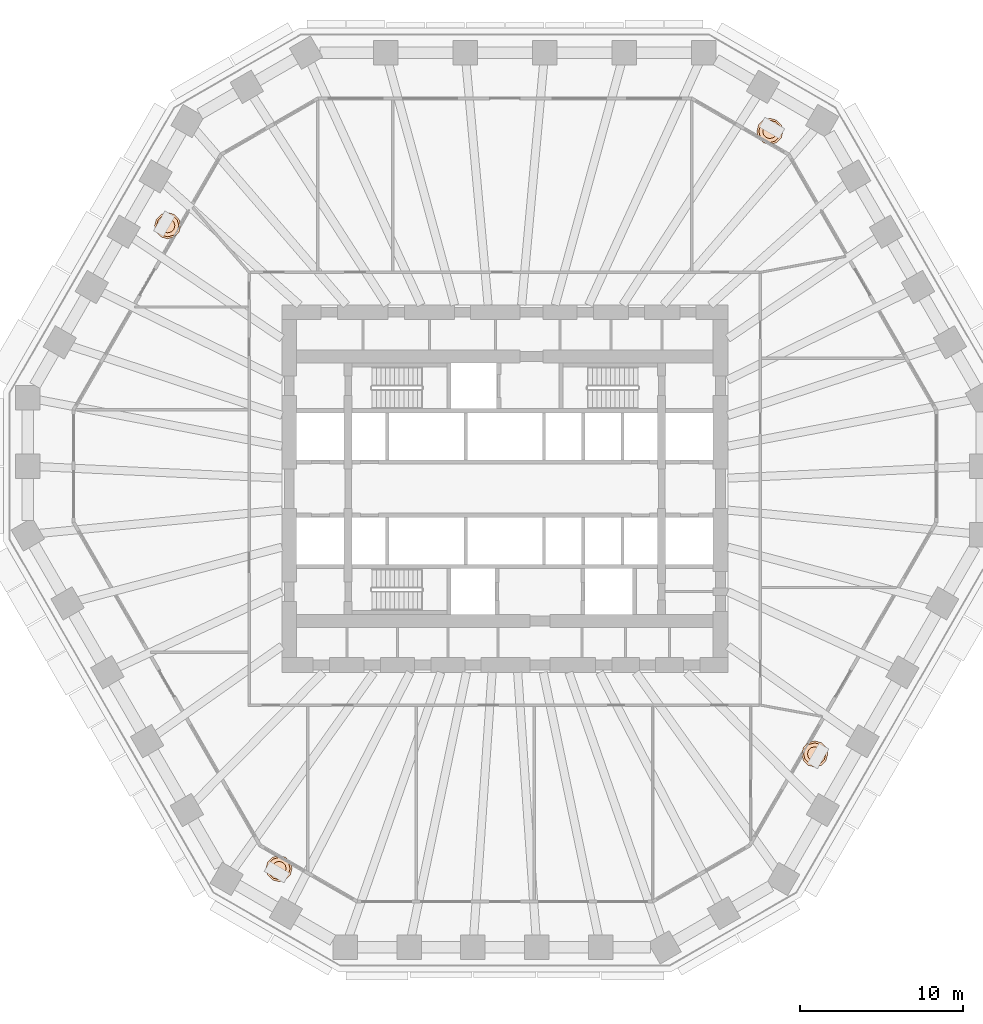
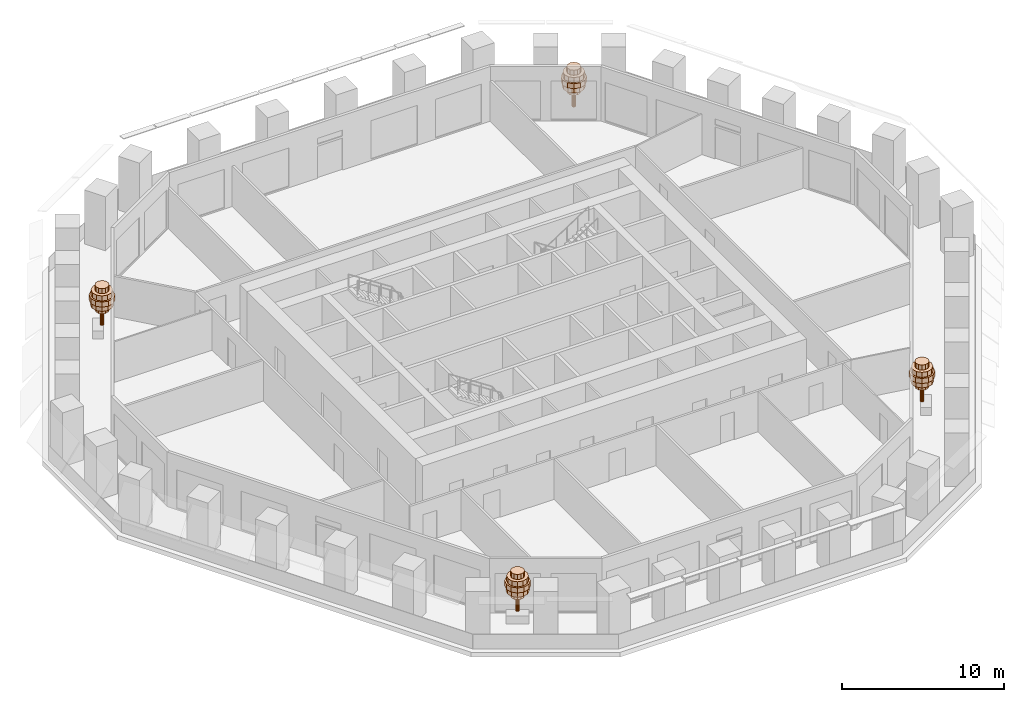
# One storey, part 12 of 12: 4 geographic elements.
"""IFC4 building model written with IfcOpenShell, lengths in metres."""

from ifc_helpers import new_model, si_unit, direction, frame, origin, place, context, subcontext, project, spatial, polyline, outline, extrude, material, type_object, element, save


model = new_model("IFC4")

# Units and contexts
model_context = context("Model", 3, precision=1e-05, world=origin(), true_north=direction((0.0, 1.0)))
body_context = subcontext(model_context, "Body", "Model", "MODEL_VIEW")
ifc_project = project(units=[si_unit("LENGTHUNIT", "METRE"), si_unit("AREAUNIT", "SQUARE_METRE"), si_unit("VOLUMEUNIT", "CUBIC_METRE"), si_unit("PLANEANGLEUNIT", "RADIAN"), si_unit("MASSUNIT", "GRAM", prefix="KILO")], contexts=[model_context])

# Site, building, storey
site_placement = place(None, origin())
site = spatial("IfcSite", under=ifc_project, at=site_placement, CompositionType="ELEMENT")
building_placement = place(site_placement, origin())
building = spatial("IfcBuilding", under=site, at=building_placement, Name="Frailejon Research Tower", CompositionType="ELEMENT")
storey_placement = place(building_placement, frame((0.0, 0.0, 58.60009765625)))
storey = spatial("IfcBuildingStorey", under=building, at=storey_placement, Name="L13", CompositionType="ELEMENT", Elevation=58.60009765625)

# Geographic elements
ifc_material = material(Name="Foliage, green")
geographic_element_type = type_object("IfcGeographicElementType", Name="Frailejon tree, loggia", PredefinedType="USERDEFINED", material=ifc_material)
geographic_element_1_placement = place(storey_placement, frame((16.22802734375, 21.878173828125, 0.599853515625)))
element("IfcGeographicElement", 1, at=geographic_element_1_placement, inside=storey, type_object=geographic_element_type, Name="Tree L13", ObjectType="TREE", PredefinedType="USERDEFINED", context=body_context, shape_type="SweptSolid", body=[
    extrude(outline(polyline([(0.1298828125, 0.0), (0.112548828125, 0.06494140625), (0.06494140625, 0.112548828125), (0.0, 0.1298828125), (-0.06494140625, 0.112548828125), (-0.112548828125, 0.06494140625), (-0.1298828125, 0.0), (-0.112548828125, -0.06494140625), (-0.06494140625, -0.112548828125), (0.0, -0.1298828125), (0.06494140625, -0.112548828125), (0.112548828125, -0.06494140625), (0.1298828125, 0.0)])), origin(), (0.0, 0.0, 1.0), 2.239990234375),
    extrude(outline(polyline([(0.43994140625, 0.0), (0.381103515625, 0.219970703125), (0.219970703125, 0.381103515625), (0.0, 0.43994140625), (-0.219970703125, 0.381103515625), (-0.381103515625, 0.219970703125), (-0.43994140625, 0.0), (-0.381103515625, -0.219970703125), (-0.219970703125, -0.381103515625), (0.0, -0.43994140625), (0.219970703125, -0.381103515625), (0.381103515625, -0.219970703125), (0.43994140625, 0.0)])), frame((0.0, 0.0, 1.10009765625)), (0.0, 0.0, 1.0), 0.3798828125),
    extrude(outline(polyline([(0.719970703125, 0.0), (0.62353515625, 0.360107421875), (0.360107421875, 0.62353515625), (0.0, 0.719970703125), (-0.360107421875, 0.62353515625), (-0.62353515625, 0.360107421875), (-0.719970703125, 0.0), (-0.62353515625, -0.360107421875), (-0.360107421875, -0.62353515625), (0.0, -0.719970703125), (0.360107421875, -0.62353515625), (0.62353515625, -0.360107421875), (0.719970703125, 0.0)])), frame((0.0, 0.0, 1.47998046875)), (0.0, 0.0, 1.0), 0.3798828125),
    extrude(outline(polyline([(0.800048828125, 0.0), (0.69287109375, 0.39990234375), (0.39990234375, 0.69287109375), (0.0, 0.800048828125), (-0.39990234375, 0.69287109375), (-0.69287109375, 0.39990234375), (-0.800048828125, 0.0), (-0.69287109375, -0.39990234375), (-0.39990234375, -0.69287109375), (0.0, -0.800048828125), (0.39990234375, -0.69287109375), (0.69287109375, -0.39990234375), (0.800048828125, 0.0)])), frame((0.0, 0.0, 1.860107421875)), (0.0, 0.0, 1.0), 0.3798828125),
    extrude(outline(polyline([(0.679931640625, 0.0), (0.5888671875, 0.340087890625), (0.340087890625, 0.5888671875), (0.0, 0.679931640625), (-0.340087890625, 0.5888671875), (-0.5888671875, 0.340087890625), (-0.679931640625, 0.0), (-0.5888671875, -0.340087890625), (-0.340087890625, -0.5888671875), (0.0, -0.679931640625), (0.340087890625, -0.5888671875), (0.5888671875, -0.340087890625), (0.679931640625, 0.0)])), frame((0.0, 0.0, 2.239990234375)), (0.0, 0.0, 1.0), 0.3798828125),
    extrude(outline(polyline([(0.43994140625, 0.0), (0.381103515625, 0.219970703125), (0.219970703125, 0.381103515625), (0.0, 0.43994140625), (-0.219970703125, 0.381103515625), (-0.381103515625, 0.219970703125), (-0.43994140625, 0.0), (-0.381103515625, -0.219970703125), (-0.219970703125, -0.381103515625), (0.0, -0.43994140625), (0.219970703125, -0.381103515625), (0.381103515625, -0.219970703125), (0.43994140625, 0.0)])), frame((0.0, 0.0, 2.6201171875)), (0.0, 0.0, 1.0), 0.3798828125),
])
geographic_element_2_placement = place(storey_placement, frame((-20.646728515625, 16.104248046875, 0.599853515625)))
element("IfcGeographicElement", 2, at=geographic_element_2_placement, inside=storey, type_object=geographic_element_type, Name="Tree L13", ObjectType="TREE", PredefinedType="USERDEFINED", context=body_context, shape_type="SweptSolid", body=[
    extrude(outline(polyline([(0.1298828125, 0.0), (0.112548828125, 0.06494140625), (0.06494140625, 0.112548828125), (0.0, 0.1298828125), (-0.06494140625, 0.112548828125), (-0.112548828125, 0.06494140625), (-0.1298828125, 0.0), (-0.112548828125, -0.06494140625), (-0.06494140625, -0.112548828125), (0.0, -0.1298828125), (0.06494140625, -0.112548828125), (0.112548828125, -0.06494140625), (0.1298828125, 0.0)])), origin(), (0.0, 0.0, 1.0), 2.239990234375),
    extrude(outline(polyline([(0.43994140625, 0.0), (0.381103515625, 0.219970703125), (0.219970703125, 0.381103515625), (0.0, 0.43994140625), (-0.219970703125, 0.381103515625), (-0.381103515625, 0.219970703125), (-0.43994140625, 0.0), (-0.381103515625, -0.219970703125), (-0.219970703125, -0.381103515625), (0.0, -0.43994140625), (0.219970703125, -0.381103515625), (0.381103515625, -0.219970703125), (0.43994140625, 0.0)])), frame((0.0, 0.0, 1.10009765625)), (0.0, 0.0, 1.0), 0.3798828125),
    extrude(outline(polyline([(0.719970703125, 0.0), (0.62353515625, 0.360107421875), (0.360107421875, 0.62353515625), (0.0, 0.719970703125), (-0.360107421875, 0.62353515625), (-0.62353515625, 0.360107421875), (-0.719970703125, 0.0), (-0.62353515625, -0.360107421875), (-0.360107421875, -0.62353515625), (0.0, -0.719970703125), (0.360107421875, -0.62353515625), (0.62353515625, -0.360107421875), (0.719970703125, 0.0)])), frame((0.0, 0.0, 1.47998046875)), (0.0, 0.0, 1.0), 0.3798828125),
    extrude(outline(polyline([(0.800048828125, 0.0), (0.69287109375, 0.39990234375), (0.39990234375, 0.69287109375), (0.0, 0.800048828125), (-0.39990234375, 0.69287109375), (-0.69287109375, 0.39990234375), (-0.800048828125, 0.0), (-0.69287109375, -0.39990234375), (-0.39990234375, -0.69287109375), (0.0, -0.800048828125), (0.39990234375, -0.69287109375), (0.69287109375, -0.39990234375), (0.800048828125, 0.0)])), frame((0.0, 0.0, 1.860107421875)), (0.0, 0.0, 1.0), 0.3798828125),
    extrude(outline(polyline([(0.679931640625, 0.0), (0.5888671875, 0.340087890625), (0.340087890625, 0.5888671875), (0.0, 0.679931640625), (-0.340087890625, 0.5888671875), (-0.5888671875, 0.340087890625), (-0.679931640625, 0.0), (-0.5888671875, -0.340087890625), (-0.340087890625, -0.5888671875), (0.0, -0.679931640625), (0.340087890625, -0.5888671875), (0.5888671875, -0.340087890625), (0.679931640625, 0.0)])), frame((0.0, 0.0, 2.239990234375)), (0.0, 0.0, 1.0), 0.3798828125),
    extrude(outline(polyline([(0.43994140625, 0.0), (0.381103515625, 0.219970703125), (0.219970703125, 0.381103515625), (0.0, 0.43994140625), (-0.219970703125, 0.381103515625), (-0.381103515625, 0.219970703125), (-0.43994140625, 0.0), (-0.381103515625, -0.219970703125), (-0.219970703125, -0.381103515625), (0.0, -0.43994140625), (0.219970703125, -0.381103515625), (0.381103515625, -0.219970703125), (0.43994140625, 0.0)])), frame((0.0, 0.0, 2.6201171875)), (0.0, 0.0, 1.0), 0.3798828125),
])
geographic_element_3_placement = place(storey_placement, frame((-13.8330078125, -23.260986328125, 0.599853515625)))
element("IfcGeographicElement", 3, at=geographic_element_3_placement, inside=storey, type_object=geographic_element_type, Name="Tree L13", ObjectType="TREE", PredefinedType="USERDEFINED", context=body_context, shape_type="SweptSolid", body=[
    extrude(outline(polyline([(0.1298828125, 0.0), (0.112548828125, 0.06494140625), (0.06494140625, 0.112548828125), (0.0, 0.1298828125), (-0.06494140625, 0.112548828125), (-0.112548828125, 0.06494140625), (-0.1298828125, 0.0), (-0.112548828125, -0.06494140625), (-0.06494140625, -0.112548828125), (0.0, -0.1298828125), (0.06494140625, -0.112548828125), (0.112548828125, -0.06494140625), (0.1298828125, 0.0)])), origin(), (0.0, 0.0, 1.0), 2.239990234375),
    extrude(outline(polyline([(0.43994140625, 0.0), (0.381103515625, 0.219970703125), (0.219970703125, 0.381103515625), (0.0, 0.43994140625), (-0.219970703125, 0.381103515625), (-0.381103515625, 0.219970703125), (-0.43994140625, 0.0), (-0.381103515625, -0.219970703125), (-0.219970703125, -0.381103515625), (0.0, -0.43994140625), (0.219970703125, -0.381103515625), (0.381103515625, -0.219970703125), (0.43994140625, 0.0)])), frame((0.0, 0.0, 1.10009765625)), (0.0, 0.0, 1.0), 0.3798828125),
    extrude(outline(polyline([(0.719970703125, 0.0), (0.62353515625, 0.360107421875), (0.360107421875, 0.62353515625), (0.0, 0.719970703125), (-0.360107421875, 0.62353515625), (-0.62353515625, 0.360107421875), (-0.719970703125, 0.0), (-0.62353515625, -0.360107421875), (-0.360107421875, -0.62353515625), (0.0, -0.719970703125), (0.360107421875, -0.62353515625), (0.62353515625, -0.360107421875), (0.719970703125, 0.0)])), frame((0.0, 0.0, 1.47998046875)), (0.0, 0.0, 1.0), 0.3798828125),
    extrude(outline(polyline([(0.800048828125, 0.0), (0.69287109375, 0.39990234375), (0.39990234375, 0.69287109375), (0.0, 0.800048828125), (-0.39990234375, 0.69287109375), (-0.69287109375, 0.39990234375), (-0.800048828125, 0.0), (-0.69287109375, -0.39990234375), (-0.39990234375, -0.69287109375), (0.0, -0.800048828125), (0.39990234375, -0.69287109375), (0.69287109375, -0.39990234375), (0.800048828125, 0.0)])), frame((0.0, 0.0, 1.860107421875)), (0.0, 0.0, 1.0), 0.3798828125),
    extrude(outline(polyline([(0.679931640625, 0.0), (0.5888671875, 0.340087890625), (0.340087890625, 0.5888671875), (0.0, 0.679931640625), (-0.340087890625, 0.5888671875), (-0.5888671875, 0.340087890625), (-0.679931640625, 0.0), (-0.5888671875, -0.340087890625), (-0.340087890625, -0.5888671875), (0.0, -0.679931640625), (0.340087890625, -0.5888671875), (0.5888671875, -0.340087890625), (0.679931640625, 0.0)])), frame((0.0, 0.0, 2.239990234375)), (0.0, 0.0, 1.0), 0.3798828125),
    extrude(outline(polyline([(0.43994140625, 0.0), (0.381103515625, 0.219970703125), (0.219970703125, 0.381103515625), (0.0, 0.43994140625), (-0.219970703125, 0.381103515625), (-0.381103515625, 0.219970703125), (-0.43994140625, 0.0), (-0.381103515625, -0.219970703125), (-0.219970703125, -0.381103515625), (0.0, -0.43994140625), (0.219970703125, -0.381103515625), (0.381103515625, -0.219970703125), (0.43994140625, 0.0)])), frame((0.0, 0.0, 2.6201171875)), (0.0, 0.0, 1.0), 0.3798828125),
])
geographic_element_4_placement = place(storey_placement, frame((18.97021484375, -16.242431640625, 0.599853515625)))
element("IfcGeographicElement", 4, at=geographic_element_4_placement, inside=storey, type_object=geographic_element_type, Name="Tree L13", ObjectType="TREE", PredefinedType="USERDEFINED", context=body_context, shape_type="SweptSolid", body=[
    extrude(outline(polyline([(0.1298828125, 0.0), (0.112548828125, 0.06494140625), (0.06494140625, 0.112548828125), (0.0, 0.1298828125), (-0.06494140625, 0.112548828125), (-0.112548828125, 0.06494140625), (-0.1298828125, 0.0), (-0.112548828125, -0.06494140625), (-0.06494140625, -0.112548828125), (0.0, -0.1298828125), (0.06494140625, -0.112548828125), (0.112548828125, -0.06494140625), (0.1298828125, 0.0)])), origin(), (0.0, 0.0, 1.0), 2.239990234375),
    extrude(outline(polyline([(0.43994140625, 0.0), (0.381103515625, 0.219970703125), (0.219970703125, 0.381103515625), (0.0, 0.43994140625), (-0.219970703125, 0.381103515625), (-0.381103515625, 0.219970703125), (-0.43994140625, 0.0), (-0.381103515625, -0.219970703125), (-0.219970703125, -0.381103515625), (0.0, -0.43994140625), (0.219970703125, -0.381103515625), (0.381103515625, -0.219970703125), (0.43994140625, 0.0)])), frame((0.0, 0.0, 1.10009765625)), (0.0, 0.0, 1.0), 0.3798828125),
    extrude(outline(polyline([(0.719970703125, 0.0), (0.62353515625, 0.360107421875), (0.360107421875, 0.62353515625), (0.0, 0.719970703125), (-0.360107421875, 0.62353515625), (-0.62353515625, 0.360107421875), (-0.719970703125, 0.0), (-0.62353515625, -0.360107421875), (-0.360107421875, -0.62353515625), (0.0, -0.719970703125), (0.360107421875, -0.62353515625), (0.62353515625, -0.360107421875), (0.719970703125, 0.0)])), frame((0.0, 0.0, 1.47998046875)), (0.0, 0.0, 1.0), 0.3798828125),
    extrude(outline(polyline([(0.800048828125, 0.0), (0.69287109375, 0.39990234375), (0.39990234375, 0.69287109375), (0.0, 0.800048828125), (-0.39990234375, 0.69287109375), (-0.69287109375, 0.39990234375), (-0.800048828125, 0.0), (-0.69287109375, -0.39990234375), (-0.39990234375, -0.69287109375), (0.0, -0.800048828125), (0.39990234375, -0.69287109375), (0.69287109375, -0.39990234375), (0.800048828125, 0.0)])), frame((0.0, 0.0, 1.860107421875)), (0.0, 0.0, 1.0), 0.3798828125),
    extrude(outline(polyline([(0.679931640625, 0.0), (0.5888671875, 0.340087890625), (0.340087890625, 0.5888671875), (0.0, 0.679931640625), (-0.340087890625, 0.5888671875), (-0.5888671875, 0.340087890625), (-0.679931640625, 0.0), (-0.5888671875, -0.340087890625), (-0.340087890625, -0.5888671875), (0.0, -0.679931640625), (0.340087890625, -0.5888671875), (0.5888671875, -0.340087890625), (0.679931640625, 0.0)])), frame((0.0, 0.0, 2.239990234375)), (0.0, 0.0, 1.0), 0.3798828125),
    extrude(outline(polyline([(0.43994140625, 0.0), (0.381103515625, 0.219970703125), (0.219970703125, 0.381103515625), (0.0, 0.43994140625), (-0.219970703125, 0.381103515625), (-0.381103515625, 0.219970703125), (-0.43994140625, 0.0), (-0.381103515625, -0.219970703125), (-0.219970703125, -0.381103515625), (0.0, -0.43994140625), (0.219970703125, -0.381103515625), (0.381103515625, -0.219970703125), (0.43994140625, 0.0)])), frame((0.0, 0.0, 2.6201171875)), (0.0, 0.0, 1.0), 0.3798828125),
])

save(model, "model.ifc")
